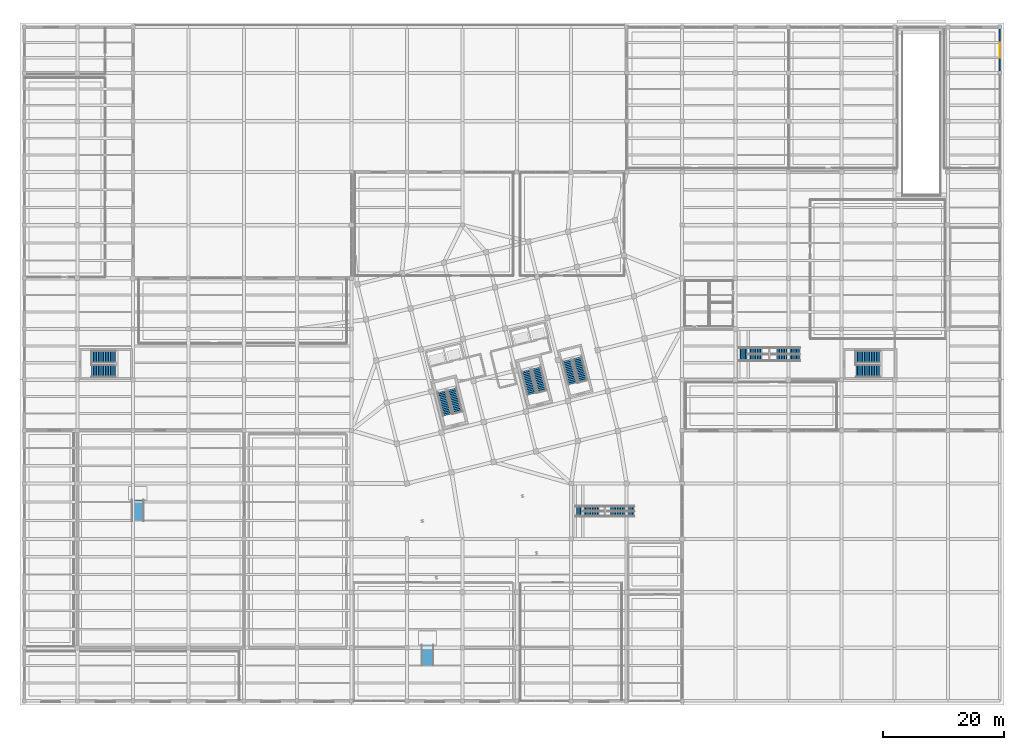
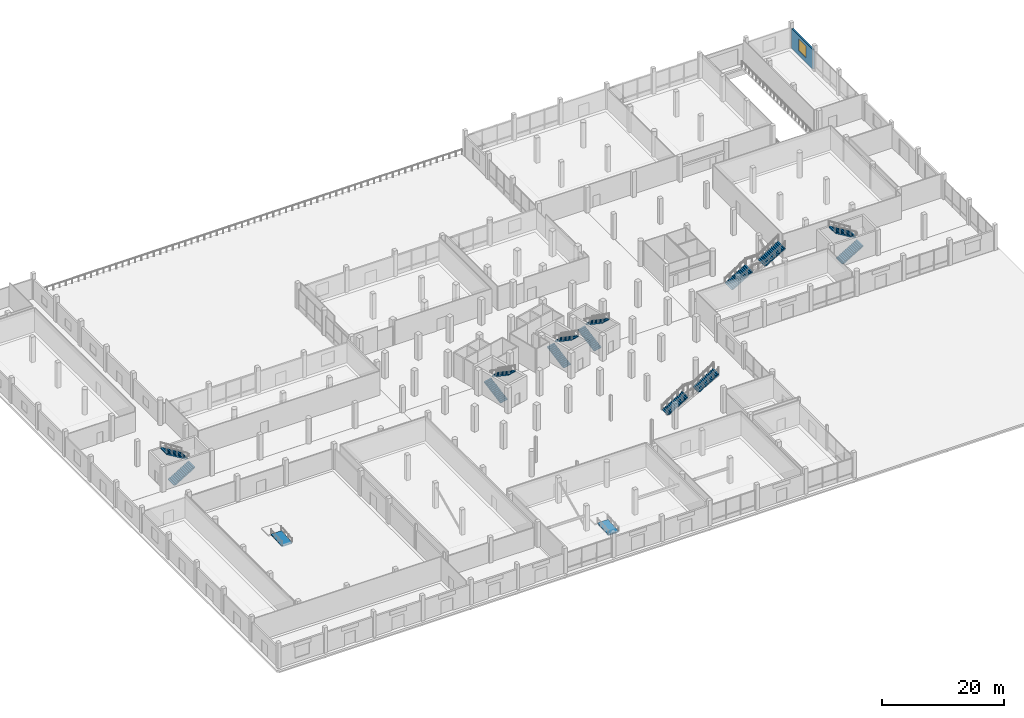
# One storey, part 65 of 73: 14 stair flights, 2 ramp flights, 1 wall, 1 window, 1 opening, 9 elements without a shape of their own.
"""IFC4 building model written with IfcOpenShell, lengths in metres."""

from ifc_helpers import new_model, si_unit, direction, frame, frame_2d, origin, place, context, subcontext, project, spatial, polyline, rectangle, outline, extrude, material, layer, layer_set, type_object, element, fill, aggregate, save


model = new_model("IFC4")

# Units and contexts
model_context = context("Model", 3, precision=1e-05, world=origin(), true_north=direction((0.0, 1.0)))
body_context = subcontext(model_context, "Body", "Model", "MODEL_VIEW")
ifc_project = project(units=[si_unit("LENGTHUNIT", "METRE"), si_unit("AREAUNIT", "SQUARE_METRE"), si_unit("VOLUMEUNIT", "CUBIC_METRE"), si_unit("PLANEANGLEUNIT", "RADIAN"), si_unit("MASSUNIT", "GRAM", prefix="KILO")], contexts=[model_context])

# Site, building, storey
site_placement = place(None, origin())
site = spatial("IfcSite", under=ifc_project, at=site_placement, CompositionType="ELEMENT")
building_placement = place(site_placement, origin())
building = spatial("IfcBuilding", under=site, at=building_placement, Name="Meriwether Solvik Hall", CompositionType="ELEMENT")
storey_placement = place(building_placement, origin())
storey = spatial("IfcBuildingStorey", under=building, at=storey_placement, Name="L00", CompositionType="ELEMENT", Elevation=0.0)

# Wall, opening, window
ifc_material_1 = material(Name="Concrete C40/50 Precast", Category="concrete")
ifc_layer_1 = layer(ifc_material_1, 0.31494140625)
ifc_layer_set_1 = layer_set([ifc_layer_1], Name="Concrete C40/50 Precast")
wall_type = type_object("IfcWallType", Name="WALL-EXT-315", PredefinedType="SOLIDWALL", material=ifc_layer_set_1)
wall_placement = place(storey_placement, frame((166.800048828125, 116.462890625, 0.0), z_axis=(0.0, 0.0, 1.0), x_axis=(0.0, -1.0, 0.0)))
wall = element("IfcWall", 1, at=wall_placement, inside=storey, type_object=wall_type, Name="L00 E Wing Facade Wall Y19_13_71", PredefinedType="SOLIDWALL", context=body_context, shape_type="SweptSolid", body=[
    extrude(rectangle(XDim=6.92578125, YDim=0.31494140625, at=frame_2d((3.462890625, 0.0))), origin(), (0.0, 0.0, 1.0), 3.93994140625),
])
opening_placement = place(wall_placement, frame((2.212890625, 0.0, 0.85009765625)))
opening = element("IfcOpeningElement", 2, at=opening_placement, cuts=wall, Name="Opening WN-144", PredefinedType="OPENING", context=body_context, shape_type="SweptSolid", body=[
    extrude(rectangle(XDim=2.5, YDim=2.39990234375, at=frame_2d((1.25, 1.199951171875))), frame((0.0, 0.16943359375, 0.0), z_axis=(0.0, -1.0, 0.0), x_axis=(1.0, 0.0, 0.0)), (0.0, 0.0, 1.0), 0.3388671875),
])
ifc_material_2 = material(Name="Thermally Broken Anodised Aluminium and Triple Low-E Glass", Category="aluminium")
window_type = type_object("IfcWindowType", Name="WIN-POD-EAST-250X240", PartitioningType="SINGLE_PANEL", PredefinedType="WINDOW", material=ifc_material_2)
window_placement = place(opening_placement, origin())
window = element("IfcWindow", 3, at=window_placement, inside=storey, type_object=window_type, Name="L00 E Window Y19_13_71", OverallHeight=2.39990234375, OverallWidth=2.5, PartitioningType="SINGLE_PANEL", PredefinedType="WINDOW", context=body_context, shape_type="SweptSolid", body=[
    extrude(rectangle(XDim=2.5, YDim=2.39990234375, at=frame_2d((1.25, 1.199951171875))), frame((0.0, 0.030029296875, 0.0), z_axis=(0.0, -1.0, 0.0), x_axis=(1.0, 0.0, 0.0)), (0.0, 0.0, 1.0), 0.06005859375),
])
fill(opening, window)

# Stair, stair flights
ifc_material_3 = material(Name="Glulam Douglas-Fir 24F-V8 GL28h", Category="wood")
stair_type_1 = type_object("IfcStairType", Name="STR-OPEN-ATRIUM", PredefinedType="TWO_STRAIGHT_RUN_STAIR", material=ifc_material_3)
stair_1_placement = place(storey_placement, origin())
stair_1 = element("IfcStair", 4, at=stair_1_placement, inside=storey, type_object=stair_type_1, Name="Architectural Stair ST-AT1 (L00-L01)", PredefinedType="TWO_STRAIGHT_RUN_STAIR")
ifc_material_4 = material(Name="Glulam Douglas-Fir 24F-V8 GL28h", Category="wood")
stair_flight_type_1 = type_object("IfcStairFlightType", Name="SFL-GL-180", PredefinedType="STRAIGHT", material=ifc_material_4)
stair_flight_1_placement = place(storey_placement, frame((96.5, 36.60009765625, 0.0), z_axis=(0.0, 0.0, 1.0), x_axis=(1.0, 0.0, 0.0)))
stair_flight_1 = element("IfcStairFlight", 5, at=stair_flight_1_placement, type_object=stair_flight_type_1, Name="Stair ST-AT1 Lower Flight", NumberOfRisers=15, NumberOfTreads=14, PredefinedType="STRAIGHT", RiserHeight=0.17, TreadLength=0.28, context=body_context, shape_type="SweptSolid", body=[
    extrude(outline(polyline([(0.0, 0.0), (0.0, 0.169921875), (0.280029296875, 0.169921875), (0.280029296875, 0.340087890625), (0.56005859375, 0.340087890625), (0.56005859375, 0.510009765625), (0.840087890625, 0.510009765625), (0.840087890625, 0.679931640625), (1.1201171875, 0.679931640625), (1.1201171875, 0.85009765625), (1.39990234375, 0.85009765625), (1.39990234375, 1.02001953125), (1.679931640625, 1.02001953125), (1.679931640625, 1.18994140625), (1.9599609375, 1.18994140625), (1.9599609375, 1.360107421875), (2.239990234375, 1.360107421875), (2.239990234375, 1.530029296875), (2.52001953125, 1.530029296875), (2.52001953125, 1.699951171875), (2.800048828125, 1.699951171875), (2.800048828125, 1.8701171875), (3.080078125, 1.8701171875), (3.080078125, 2.0400390625), (3.360107421875, 2.0400390625), (3.360107421875, 2.2099609375), (3.639892578125, 2.2099609375), (3.639892578125, 2.3798828125), (3.919921875, 2.3798828125), (3.919921875, 2.550048828125), (3.919921875, 2.16943359375), (0.3466796875, 0.0), (0.0, 0.0)])), frame((0.0, 0.89990234375, 0.0), z_axis=(0.0, -1.0, 0.0), x_axis=(1.0, 0.0, 0.0)), (0.0, 0.0, 1.0), 1.800048828125),
])
stair_flight_2_placement = place(storey_placement, frame((102.320068359375, 36.60009765625, 2.550048828125), z_axis=(0.0, 0.0, 1.0), x_axis=(1.0, 0.0, 0.0)))
stair_flight_2 = element("IfcStairFlight", 6, at=stair_flight_2_placement, type_object=stair_flight_type_1, Name="Stair ST-AT1 Upper Flight", NumberOfRisers=15, NumberOfTreads=14, PredefinedType="STRAIGHT", RiserHeight=0.17, TreadLength=0.28, context=body_context, shape_type="SweptSolid", body=[
    extrude(outline(polyline([(0.0, 0.0), (0.0, 0.169921875), (0.280029296875, 0.169921875), (0.280029296875, 0.340087890625), (0.56005859375, 0.340087890625), (0.56005859375, 0.510009765625), (0.840087890625, 0.510009765625), (0.840087890625, 0.679931640625), (1.1201171875, 0.679931640625), (1.1201171875, 0.85009765625), (1.39990234375, 0.85009765625), (1.39990234375, 1.02001953125), (1.679931640625, 1.02001953125), (1.679931640625, 1.18994140625), (1.9599609375, 1.18994140625), (1.9599609375, 1.360107421875), (2.239990234375, 1.360107421875), (2.239990234375, 1.530029296875), (2.52001953125, 1.530029296875), (2.52001953125, 1.699951171875), (2.800048828125, 1.699951171875), (2.800048828125, 1.8701171875), (3.080078125, 1.8701171875), (3.080078125, 2.0400390625), (3.360107421875, 2.0400390625), (3.360107421875, 2.2099609375), (3.639892578125, 2.2099609375), (3.639892578125, 2.3798828125), (3.919921875, 2.3798828125), (3.919921875, 2.550048828125), (3.919921875, 2.16943359375), (0.3466796875, 0.0), (0.0, 0.0)])), frame((0.0, 0.89990234375, 0.0), z_axis=(0.0, -1.0, 0.0), x_axis=(1.0, 0.0, 0.0)), (0.0, 0.0, 1.0), 1.800048828125),
])
aggregate(stair_1, [stair_flight_1, stair_flight_2])

ifc_material_5 = material(Name="Glulam Douglas-Fir 24F-V8 GL28h", Category="wood")
stair_type_2 = type_object("IfcStairType", Name="STR-OPEN-LIB-W", PredefinedType="TWO_STRAIGHT_RUN_STAIR", material=ifc_material_5)
stair_2_placement = place(storey_placement, origin())
stair_2 = element("IfcStair", 7, at=stair_2_placement, inside=storey, type_object=stair_type_2, Name="Architectural Stair ST-LB2 (L00-L01)", PredefinedType="TWO_STRAIGHT_RUN_STAIR")
ifc_material_6 = material(Name="Glulam Douglas-Fir 24F-V8 GL28h", Category="wood")
stair_flight_type_2 = type_object("IfcStairFlightType", Name="SFL-GL-230", PredefinedType="STRAIGHT", material=ifc_material_6)
stair_flight_3_placement = place(storey_placement, frame((123.550048828125, 62.60009765625, 0.0), z_axis=(0.0, 0.0, 1.0), x_axis=(1.0, 0.0, 0.0)))
stair_flight_3 = element("IfcStairFlight", 8, at=stair_flight_3_placement, type_object=stair_flight_type_2, Name="Stair ST-LB2 Lower Flight", NumberOfRisers=15, NumberOfTreads=14, PredefinedType="STRAIGHT", RiserHeight=0.17, TreadLength=0.28, context=body_context, shape_type="SweptSolid", body=[
    extrude(outline(polyline([(0.0, 0.0), (0.0, 0.169921875), (0.280029296875, 0.169921875), (0.280029296875, 0.340087890625), (0.56005859375, 0.340087890625), (0.56005859375, 0.510009765625), (0.840087890625, 0.510009765625), (0.840087890625, 0.679931640625), (1.1201171875, 0.679931640625), (1.1201171875, 0.85009765625), (1.39990234375, 0.85009765625), (1.39990234375, 1.02001953125), (1.679931640625, 1.02001953125), (1.679931640625, 1.18994140625), (1.9599609375, 1.18994140625), (1.9599609375, 1.360107421875), (2.239990234375, 1.360107421875), (2.239990234375, 1.530029296875), (2.52001953125, 1.530029296875), (2.52001953125, 1.699951171875), (2.800048828125, 1.699951171875), (2.800048828125, 1.8701171875), (3.080078125, 1.8701171875), (3.080078125, 2.0400390625), (3.360107421875, 2.0400390625), (3.360107421875, 2.2099609375), (3.639892578125, 2.2099609375), (3.639892578125, 2.3798828125), (3.919921875, 2.3798828125), (3.919921875, 2.550048828125), (3.919921875, 2.16943359375), (0.3466796875, 0.0), (0.0, 0.0)])), frame((0.0, 1.14990234375, 0.0), z_axis=(0.0, -1.0, 0.0), x_axis=(1.0, 0.0, 0.0)), (0.0, 0.0, 1.0), 2.300048828125),
])
stair_flight_4_placement = place(storey_placement, frame((129.77001953125, 62.60009765625, 2.550048828125), z_axis=(0.0, 0.0, 1.0), x_axis=(1.0, 0.0, 0.0)))
stair_flight_4 = element("IfcStairFlight", 9, at=stair_flight_4_placement, type_object=stair_flight_type_2, Name="Stair ST-LB2 Upper Flight", NumberOfRisers=15, NumberOfTreads=14, PredefinedType="STRAIGHT", RiserHeight=0.17, TreadLength=0.28, context=body_context, shape_type="SweptSolid", body=[
    extrude(outline(polyline([(0.0, 0.0), (0.0, 0.169921875), (0.280029296875, 0.169921875), (0.280029296875, 0.340087890625), (0.56005859375, 0.340087890625), (0.56005859375, 0.510009765625), (0.840087890625, 0.510009765625), (0.840087890625, 0.679931640625), (1.1201171875, 0.679931640625), (1.1201171875, 0.85009765625), (1.39990234375, 0.85009765625), (1.39990234375, 1.02001953125), (1.679931640625, 1.02001953125), (1.679931640625, 1.18994140625), (1.9599609375, 1.18994140625), (1.9599609375, 1.360107421875), (2.239990234375, 1.360107421875), (2.239990234375, 1.530029296875), (2.52001953125, 1.530029296875), (2.52001953125, 1.699951171875), (2.800048828125, 1.699951171875), (2.800048828125, 1.8701171875), (3.080078125, 1.8701171875), (3.080078125, 2.0400390625), (3.360107421875, 2.0400390625), (3.360107421875, 2.2099609375), (3.639892578125, 2.2099609375), (3.639892578125, 2.3798828125), (3.919921875, 2.3798828125), (3.919921875, 2.550048828125), (3.919921875, 2.16943359375), (0.3466796875, 0.0), (0.0, 0.0)])), frame((0.0, 1.14990234375, 0.0), z_axis=(0.0, -1.0, 0.0), x_axis=(1.0, 0.0, 0.0)), (0.0, 0.0, 1.0), 2.300048828125),
])
aggregate(stair_2, [stair_flight_3, stair_flight_4])

ifc_material_7 = material(Name="Concrete C40/50", Category="concrete")
stair_type_3 = type_object("IfcStairType", Name="STR-CORE-DOGLEG-B", PredefinedType="TWO_STRAIGHT_RUN_STAIR", material=ifc_material_7)
stair_3_placement = place(storey_placement, origin())
stair_3 = element("IfcStair", 10, at=stair_3_placement, inside=storey, type_object=stair_type_3, Name="Exit Stair ST-01 (L00)", PredefinedType="TWO_STRAIGHT_RUN_STAIR")
ifc_material_8 = material(Name="Concrete C40/50", Category="concrete")
stair_flight_type_3 = type_object("IfcStairFlightType", Name="SFL-RC-156", PredefinedType="STRAIGHT", material=ifc_material_8)
stair_flight_5_placement = place(storey_placement, frame((75.310791015625, 52.56103515625, 0.0), z_axis=(0.0, 0.0, 1.0), x_axis=(-0.2419218956, 0.970295726276, 0.0)))
stair_flight_5 = element("IfcStairFlight", 11, at=stair_flight_5_placement, type_object=stair_flight_type_3, Name="Stair ST-01 Lower Flight (L00)", NumberOfRisers=15, NumberOfTreads=14, PredefinedType="STRAIGHT", RiserHeight=0.17, TreadLength=0.285, context=body_context, shape_type="SweptSolid", body=[
    extrude(outline(polyline([(0.0, 0.0), (0.0, 0.169921875), (0.284912109375, 0.169921875), (0.284912109375, 0.340087890625), (0.570068359375, 0.340087890625), (0.570068359375, 0.510009765625), (0.85498046875, 0.510009765625), (0.85498046875, 0.679931640625), (1.139892578125, 0.679931640625), (1.139892578125, 0.85009765625), (1.425048828125, 0.85009765625), (1.425048828125, 1.02001953125), (1.7099609375, 1.02001953125), (1.7099609375, 1.18994140625), (1.9951171875, 1.18994140625), (1.9951171875, 1.360107421875), (2.280029296875, 1.360107421875), (2.280029296875, 1.530029296875), (2.56494140625, 1.530029296875), (2.56494140625, 1.699951171875), (2.85009765625, 1.699951171875), (2.85009765625, 1.8701171875), (3.135009765625, 1.8701171875), (3.135009765625, 2.0400390625), (3.419921875, 2.0400390625), (3.419921875, 2.2099609375), (3.705078125, 2.2099609375), (3.705078125, 2.3798828125), (3.989990234375, 2.3798828125), (3.989990234375, 2.550048828125), (3.989990234375, 2.17041015625), (0.351318359375, 0.0), (0.0, 0.0)])), frame((0.0, 0.780029296875, 0.0), z_axis=(0.0, -1.0, 0.0), x_axis=(1.0, 0.0, 0.0)), (0.0, 0.0, 1.0), 1.56005859375),
])
stair_flight_6_placement = place(storey_placement, frame((76.07275390625, 56.863037109375, 2.550048828125), z_axis=(0.0, 0.0, 1.0), x_axis=(0.2419218956, -0.970295726276, 0.0)))
stair_flight_6 = element("IfcStairFlight", 12, at=stair_flight_6_placement, type_object=stair_flight_type_3, Name="Stair ST-01 Upper Flight (L00)", NumberOfRisers=15, NumberOfTreads=14, PredefinedType="STRAIGHT", RiserHeight=0.17, TreadLength=0.285, context=body_context, shape_type="SweptSolid", body=[
    extrude(outline(polyline([(0.0, 0.0), (0.0, 0.169921875), (0.284912109375, 0.169921875), (0.284912109375, 0.340087890625), (0.570068359375, 0.340087890625), (0.570068359375, 0.510009765625), (0.85498046875, 0.510009765625), (0.85498046875, 0.679931640625), (1.139892578125, 0.679931640625), (1.139892578125, 0.85009765625), (1.425048828125, 0.85009765625), (1.425048828125, 1.02001953125), (1.7099609375, 1.02001953125), (1.7099609375, 1.18994140625), (1.9951171875, 1.18994140625), (1.9951171875, 1.360107421875), (2.280029296875, 1.360107421875), (2.280029296875, 1.530029296875), (2.56494140625, 1.530029296875), (2.56494140625, 1.699951171875), (2.85009765625, 1.699951171875), (2.85009765625, 1.8701171875), (3.135009765625, 1.8701171875), (3.135009765625, 2.0400390625), (3.419921875, 2.0400390625), (3.419921875, 2.2099609375), (3.705078125, 2.2099609375), (3.705078125, 2.3798828125), (3.989990234375, 2.3798828125), (3.989990234375, 2.550048828125), (3.989990234375, 2.17041015625), (0.351318359375, 0.0), (0.0, 0.0)])), frame((0.0, 0.780029296875, 0.0), z_axis=(0.0, -1.0, 0.0), x_axis=(1.0, 0.0, 0.0)), (0.0, 0.0, 1.0), 1.56005859375),
])
aggregate(stair_3, [stair_flight_5, stair_flight_6])

stair_4_placement = place(storey_placement, origin())
stair_4 = element("IfcStair", 13, at=stair_4_placement, inside=storey, type_object=stair_type_3, Name="Exit Stair ST-02 (L00)", PredefinedType="TWO_STRAIGHT_RUN_STAIR")
stair_flight_7_placement = place(storey_placement, frame((89.283203125, 56.044677734375, 0.0), z_axis=(0.0, 0.0, 1.0), x_axis=(-0.2419218956, 0.970295726276, 0.0)))
stair_flight_7 = element("IfcStairFlight", 14, at=stair_flight_7_placement, type_object=stair_flight_type_3, Name="Stair ST-02 Lower Flight (L00)", NumberOfRisers=15, NumberOfTreads=14, PredefinedType="STRAIGHT", RiserHeight=0.17, TreadLength=0.285, context=body_context, shape_type="SweptSolid", body=[
    extrude(outline(polyline([(0.0, 0.0), (0.0, 0.169921875), (0.284912109375, 0.169921875), (0.284912109375, 0.340087890625), (0.570068359375, 0.340087890625), (0.570068359375, 0.510009765625), (0.85498046875, 0.510009765625), (0.85498046875, 0.679931640625), (1.139892578125, 0.679931640625), (1.139892578125, 0.85009765625), (1.425048828125, 0.85009765625), (1.425048828125, 1.02001953125), (1.7099609375, 1.02001953125), (1.7099609375, 1.18994140625), (1.9951171875, 1.18994140625), (1.9951171875, 1.360107421875), (2.280029296875, 1.360107421875), (2.280029296875, 1.530029296875), (2.56494140625, 1.530029296875), (2.56494140625, 1.699951171875), (2.85009765625, 1.699951171875), (2.85009765625, 1.8701171875), (3.135009765625, 1.8701171875), (3.135009765625, 2.0400390625), (3.419921875, 2.0400390625), (3.419921875, 2.2099609375), (3.705078125, 2.2099609375), (3.705078125, 2.3798828125), (3.989990234375, 2.3798828125), (3.989990234375, 2.550048828125), (3.989990234375, 2.17041015625), (0.351318359375, 0.0), (0.0, 0.0)])), frame((0.0, 0.780029296875, 0.0), z_axis=(0.0, -1.0, 0.0), x_axis=(1.0, 0.0, 0.0)), (0.0, 0.0, 1.0), 1.56005859375),
])
stair_flight_8_placement = place(storey_placement, frame((90.044921875, 60.3466796875, 2.550048828125), z_axis=(0.0, 0.0, 1.0), x_axis=(0.2419218956, -0.970295726276, 0.0)))
stair_flight_8 = element("IfcStairFlight", 15, at=stair_flight_8_placement, type_object=stair_flight_type_3, Name="Stair ST-02 Upper Flight (L00)", NumberOfRisers=15, NumberOfTreads=14, PredefinedType="STRAIGHT", RiserHeight=0.17, TreadLength=0.285, context=body_context, shape_type="SweptSolid", body=[
    extrude(outline(polyline([(0.0, 0.0), (0.0, 0.169921875), (0.284912109375, 0.169921875), (0.284912109375, 0.340087890625), (0.570068359375, 0.340087890625), (0.570068359375, 0.510009765625), (0.85498046875, 0.510009765625), (0.85498046875, 0.679931640625), (1.139892578125, 0.679931640625), (1.139892578125, 0.85009765625), (1.425048828125, 0.85009765625), (1.425048828125, 1.02001953125), (1.7099609375, 1.02001953125), (1.7099609375, 1.18994140625), (1.9951171875, 1.18994140625), (1.9951171875, 1.360107421875), (2.280029296875, 1.360107421875), (2.280029296875, 1.530029296875), (2.56494140625, 1.530029296875), (2.56494140625, 1.699951171875), (2.85009765625, 1.699951171875), (2.85009765625, 1.8701171875), (3.135009765625, 1.8701171875), (3.135009765625, 2.0400390625), (3.419921875, 2.0400390625), (3.419921875, 2.2099609375), (3.705078125, 2.2099609375), (3.705078125, 2.3798828125), (3.989990234375, 2.3798828125), (3.989990234375, 2.550048828125), (3.989990234375, 2.17041015625), (0.351318359375, 0.0), (0.0, 0.0)])), frame((0.0, 0.780029296875, 0.0), z_axis=(0.0, -1.0, 0.0), x_axis=(1.0, 0.0, 0.0)), (0.0, 0.0, 1.0), 1.56005859375),
])
aggregate(stair_4, [stair_flight_7, stair_flight_8])

stair_5_placement = place(storey_placement, origin())
stair_5 = element("IfcStair", 16, at=stair_5_placement, inside=storey, type_object=stair_type_3, Name="Exit Stair ST-03 (L00)", PredefinedType="TWO_STRAIGHT_RUN_STAIR")
stair_flight_9_placement = place(storey_placement, frame((96.0751953125, 57.738037109375, 0.0), z_axis=(0.0, 0.0, 1.0), x_axis=(-0.2419218956, 0.970295726276, 0.0)))
stair_flight_9 = element("IfcStairFlight", 17, at=stair_flight_9_placement, type_object=stair_flight_type_3, Name="Stair ST-03 Lower Flight (L00)", NumberOfRisers=15, NumberOfTreads=14, PredefinedType="STRAIGHT", RiserHeight=0.17, TreadLength=0.285, context=body_context, shape_type="SweptSolid", body=[
    extrude(outline(polyline([(0.0, 0.0), (0.0, 0.169921875), (0.284912109375, 0.169921875), (0.284912109375, 0.340087890625), (0.570068359375, 0.340087890625), (0.570068359375, 0.510009765625), (0.85498046875, 0.510009765625), (0.85498046875, 0.679931640625), (1.139892578125, 0.679931640625), (1.139892578125, 0.85009765625), (1.425048828125, 0.85009765625), (1.425048828125, 1.02001953125), (1.7099609375, 1.02001953125), (1.7099609375, 1.18994140625), (1.9951171875, 1.18994140625), (1.9951171875, 1.360107421875), (2.280029296875, 1.360107421875), (2.280029296875, 1.530029296875), (2.56494140625, 1.530029296875), (2.56494140625, 1.699951171875), (2.85009765625, 1.699951171875), (2.85009765625, 1.8701171875), (3.135009765625, 1.8701171875), (3.135009765625, 2.0400390625), (3.419921875, 2.0400390625), (3.419921875, 2.2099609375), (3.705078125, 2.2099609375), (3.705078125, 2.3798828125), (3.989990234375, 2.3798828125), (3.989990234375, 2.550048828125), (3.989990234375, 2.17041015625), (0.351318359375, 0.0), (0.0, 0.0)])), frame((0.0, 0.780029296875, 0.0), z_axis=(0.0, -1.0, 0.0), x_axis=(1.0, 0.0, 0.0)), (0.0, 0.0, 1.0), 1.56005859375),
])
stair_flight_10_placement = place(storey_placement, frame((96.837158203125, 62.040283203125, 2.550048828125), z_axis=(0.0, 0.0, 1.0), x_axis=(0.2419218956, -0.970295726276, 0.0)))
stair_flight_10 = element("IfcStairFlight", 18, at=stair_flight_10_placement, type_object=stair_flight_type_3, Name="Stair ST-03 Upper Flight (L00)", NumberOfRisers=15, NumberOfTreads=14, PredefinedType="STRAIGHT", RiserHeight=0.17, TreadLength=0.285, context=body_context, shape_type="SweptSolid", body=[
    extrude(outline(polyline([(0.0, 0.0), (0.0, 0.169921875), (0.284912109375, 0.169921875), (0.284912109375, 0.340087890625), (0.570068359375, 0.340087890625), (0.570068359375, 0.510009765625), (0.85498046875, 0.510009765625), (0.85498046875, 0.679931640625), (1.139892578125, 0.679931640625), (1.139892578125, 0.85009765625), (1.425048828125, 0.85009765625), (1.425048828125, 1.02001953125), (1.7099609375, 1.02001953125), (1.7099609375, 1.18994140625), (1.9951171875, 1.18994140625), (1.9951171875, 1.360107421875), (2.280029296875, 1.360107421875), (2.280029296875, 1.530029296875), (2.56494140625, 1.530029296875), (2.56494140625, 1.699951171875), (2.85009765625, 1.699951171875), (2.85009765625, 1.8701171875), (3.135009765625, 1.8701171875), (3.135009765625, 2.0400390625), (3.419921875, 2.0400390625), (3.419921875, 2.2099609375), (3.705078125, 2.2099609375), (3.705078125, 2.3798828125), (3.989990234375, 2.3798828125), (3.989990234375, 2.550048828125), (3.989990234375, 2.17041015625), (0.351318359375, 0.0), (0.0, 0.0)])), frame((0.0, 0.780029296875, 0.0), z_axis=(0.0, -1.0, 0.0), x_axis=(1.0, 0.0, 0.0)), (0.0, 0.0, 1.0), 1.56005859375),
])
aggregate(stair_5, [stair_flight_9, stair_flight_10])

ifc_material_9 = material(Name="Concrete C40/50", Category="concrete")
stair_type_4 = type_object("IfcStairType", Name="STR-CORE-WIDE", PredefinedType="TWO_STRAIGHT_RUN_STAIR", material=ifc_material_9)
stair_6_placement = place(storey_placement, origin())
stair_6 = element("IfcStair", 19, at=stair_6_placement, inside=storey, type_object=stair_type_4, Name="Exit Stair ST-04 (L00)", PredefinedType="TWO_STRAIGHT_RUN_STAIR")
ifc_material_10 = material(Name="Concrete C40/50", Category="concrete")
stair_flight_type_4 = type_object("IfcStairFlightType", Name="SFL-RC-205", PredefinedType="STRAIGHT", material=ifc_material_10)
stair_flight_11_placement = place(storey_placement, frame((16.35009765625, 59.804931640625, 0.0), z_axis=(0.0, 0.0, 1.0), x_axis=(1.0, 0.0, 0.0)))
stair_flight_11 = element("IfcStairFlight", 20, at=stair_flight_11_placement, type_object=stair_flight_type_4, Name="Stair ST-04 Lower Flight (L00)", NumberOfRisers=15, NumberOfTreads=14, PredefinedType="STRAIGHT", RiserHeight=0.17, TreadLength=0.285, context=body_context, shape_type="SweptSolid", body=[
    extrude(outline(polyline([(0.0, 0.0), (0.0, 0.169921875), (0.284912109375, 0.169921875), (0.284912109375, 0.340087890625), (0.570068359375, 0.340087890625), (0.570068359375, 0.510009765625), (0.85498046875, 0.510009765625), (0.85498046875, 0.679931640625), (1.139892578125, 0.679931640625), (1.139892578125, 0.85009765625), (1.425048828125, 0.85009765625), (1.425048828125, 1.02001953125), (1.7099609375, 1.02001953125), (1.7099609375, 1.18994140625), (1.9951171875, 1.18994140625), (1.9951171875, 1.360107421875), (2.280029296875, 1.360107421875), (2.280029296875, 1.530029296875), (2.56494140625, 1.530029296875), (2.56494140625, 1.699951171875), (2.85009765625, 1.699951171875), (2.85009765625, 1.8701171875), (3.135009765625, 1.8701171875), (3.135009765625, 2.0400390625), (3.419921875, 2.0400390625), (3.419921875, 2.2099609375), (3.705078125, 2.2099609375), (3.705078125, 2.3798828125), (3.989990234375, 2.3798828125), (3.989990234375, 2.550048828125), (3.989990234375, 2.17041015625), (0.351318359375, 0.0), (0.0, 0.0)])), frame((0.0, 1.02490234375, 0.0), z_axis=(0.0, -1.0, 0.0), x_axis=(1.0, 0.0, 0.0)), (0.0, 0.0, 1.0), 2.050048828125),
])
stair_flight_12_placement = place(storey_placement, frame((20.340087890625, 62.195068359375, 2.550048828125), z_axis=(0.0, 0.0, 1.0), x_axis=(-1.0, 0.0, 0.0)))
stair_flight_12 = element("IfcStairFlight", 21, at=stair_flight_12_placement, type_object=stair_flight_type_4, Name="Stair ST-04 Upper Flight (L00)", NumberOfRisers=15, NumberOfTreads=14, PredefinedType="STRAIGHT", RiserHeight=0.17, TreadLength=0.285, context=body_context, shape_type="SweptSolid", body=[
    extrude(outline(polyline([(0.0, 0.0), (0.0, 0.169921875), (0.284912109375, 0.169921875), (0.284912109375, 0.340087890625), (0.570068359375, 0.340087890625), (0.570068359375, 0.510009765625), (0.85498046875, 0.510009765625), (0.85498046875, 0.679931640625), (1.139892578125, 0.679931640625), (1.139892578125, 0.85009765625), (1.425048828125, 0.85009765625), (1.425048828125, 1.02001953125), (1.7099609375, 1.02001953125), (1.7099609375, 1.18994140625), (1.9951171875, 1.18994140625), (1.9951171875, 1.360107421875), (2.280029296875, 1.360107421875), (2.280029296875, 1.530029296875), (2.56494140625, 1.530029296875), (2.56494140625, 1.699951171875), (2.85009765625, 1.699951171875), (2.85009765625, 1.8701171875), (3.135009765625, 1.8701171875), (3.135009765625, 2.0400390625), (3.419921875, 2.0400390625), (3.419921875, 2.2099609375), (3.705078125, 2.2099609375), (3.705078125, 2.3798828125), (3.989990234375, 2.3798828125), (3.989990234375, 2.550048828125), (3.989990234375, 2.17041015625), (0.351318359375, 0.0), (0.0, 0.0)])), frame((0.0, 1.02490234375, 0.0), z_axis=(0.0, -1.0, 0.0), x_axis=(1.0, 0.0, 0.0)), (0.0, 0.0, 1.0), 2.050048828125),
])
aggregate(stair_6, [stair_flight_11, stair_flight_12])

stair_7_placement = place(storey_placement, origin())
stair_7 = element("IfcStair", 22, at=stair_7_placement, inside=storey, type_object=stair_type_4, Name="Exit Stair ST-05 (L00)", PredefinedType="TWO_STRAIGHT_RUN_STAIR")
stair_flight_13_placement = place(storey_placement, frame((142.949951171875, 59.804931640625, 0.0), z_axis=(0.0, 0.0, 1.0), x_axis=(1.0, 0.0, 0.0)))
stair_flight_13 = element("IfcStairFlight", 23, at=stair_flight_13_placement, type_object=stair_flight_type_4, Name="Stair ST-05 Lower Flight (L00)", NumberOfRisers=15, NumberOfTreads=14, PredefinedType="STRAIGHT", RiserHeight=0.17, TreadLength=0.285, context=body_context, shape_type="SweptSolid", body=[
    extrude(outline(polyline([(0.0, 0.0), (0.0, 0.169921875), (0.284912109375, 0.169921875), (0.284912109375, 0.340087890625), (0.570068359375, 0.340087890625), (0.570068359375, 0.510009765625), (0.85498046875, 0.510009765625), (0.85498046875, 0.679931640625), (1.139892578125, 0.679931640625), (1.139892578125, 0.85009765625), (1.425048828125, 0.85009765625), (1.425048828125, 1.02001953125), (1.7099609375, 1.02001953125), (1.7099609375, 1.18994140625), (1.9951171875, 1.18994140625), (1.9951171875, 1.360107421875), (2.280029296875, 1.360107421875), (2.280029296875, 1.530029296875), (2.56494140625, 1.530029296875), (2.56494140625, 1.699951171875), (2.85009765625, 1.699951171875), (2.85009765625, 1.8701171875), (3.135009765625, 1.8701171875), (3.135009765625, 2.0400390625), (3.419921875, 2.0400390625), (3.419921875, 2.2099609375), (3.705078125, 2.2099609375), (3.705078125, 2.3798828125), (3.989990234375, 2.3798828125), (3.989990234375, 2.550048828125), (3.989990234375, 2.17041015625), (0.351318359375, 0.0), (0.0, 0.0)])), frame((0.0, 1.02490234375, 0.0), z_axis=(0.0, -1.0, 0.0), x_axis=(1.0, 0.0, 0.0)), (0.0, 0.0, 1.0), 2.050048828125),
])
stair_flight_14_placement = place(storey_placement, frame((146.93994140625, 62.195068359375, 2.550048828125), z_axis=(0.0, 0.0, 1.0), x_axis=(-1.0, 0.0, 0.0)))
stair_flight_14 = element("IfcStairFlight", 24, at=stair_flight_14_placement, type_object=stair_flight_type_4, Name="Stair ST-05 Upper Flight (L00)", NumberOfRisers=15, NumberOfTreads=14, PredefinedType="STRAIGHT", RiserHeight=0.17, TreadLength=0.285, context=body_context, shape_type="SweptSolid", body=[
    extrude(outline(polyline([(0.0, 0.0), (0.0, 0.169921875), (0.284912109375, 0.169921875), (0.284912109375, 0.340087890625), (0.570068359375, 0.340087890625), (0.570068359375, 0.510009765625), (0.85498046875, 0.510009765625), (0.85498046875, 0.679931640625), (1.139892578125, 0.679931640625), (1.139892578125, 0.85009765625), (1.425048828125, 0.85009765625), (1.425048828125, 1.02001953125), (1.7099609375, 1.02001953125), (1.7099609375, 1.18994140625), (1.9951171875, 1.18994140625), (1.9951171875, 1.360107421875), (2.280029296875, 1.360107421875), (2.280029296875, 1.530029296875), (2.56494140625, 1.530029296875), (2.56494140625, 1.699951171875), (2.85009765625, 1.699951171875), (2.85009765625, 1.8701171875), (3.135009765625, 1.8701171875), (3.135009765625, 2.0400390625), (3.419921875, 2.0400390625), (3.419921875, 2.2099609375), (3.705078125, 2.2099609375), (3.705078125, 2.3798828125), (3.989990234375, 2.3798828125), (3.989990234375, 2.550048828125), (3.989990234375, 2.17041015625), (0.351318359375, 0.0), (0.0, 0.0)])), frame((0.0, 1.02490234375, 0.0), z_axis=(0.0, -1.0, 0.0), x_axis=(1.0, 0.0, 0.0)), (0.0, 0.0, 1.0), 2.050048828125),
])
aggregate(stair_7, [stair_flight_13, stair_flight_14])

# Ramp, ramp flight
ifc_material_11 = material(Name="Concrete C40/50", Category="concrete")
ifc_layer_2 = layer(ifc_material_11, 0.219970703125)
ifc_layer_set_2 = layer_set([ifc_layer_2], Name="Concrete C40/50")
ramp_type = type_object("IfcRampType", Name="RMP-ACC-200", PredefinedType="STRAIGHT_RUN_RAMP", material=ifc_layer_set_2)
ramp_1_placement = place(storey_placement, origin())
ramp_1 = element("IfcRamp", 25, at=ramp_1_placement, inside=storey, type_object=ramp_type, Name="Accessible Dais Ramp AR1 (L00)", PredefinedType="STRAIGHT_RUN_RAMP")
ifc_material_12 = material(Name="Concrete C40/50", Category="concrete")
ifc_layer_3 = layer(ifc_material_12, 0.219970703125)
ifc_layer_set_3 = layer_set([ifc_layer_3], Name="Concrete C40/50")
ramp_flight_type = type_object("IfcRampFlightType", Name="RFL-ACC-200", PredefinedType="STRAIGHT", material=ifc_layer_set_3)
ramp_flight_1_placement = place(storey_placement, frame((24.0, 35.0, 0.0), z_axis=(0.0, 0.0, 1.0), x_axis=(0.0, 1.0, 0.0)))
ramp_flight_1 = element("IfcRampFlight", 26, at=ramp_flight_1_placement, type_object=ramp_flight_type, Name="Accessible Dais Ramp Flight AR1", PredefinedType="STRAIGHT", context=body_context, shape_type="SweptSolid", body=[
    extrude(outline(polyline([(0.0, 0.0), (3.5, 0.280029296875), (3.5, 0.06005859375), (0.0, -0.219970703125), (0.0, 0.0)])), frame((0.0, 1.0, 0.0), z_axis=(0.0, -1.0, 0.0), x_axis=(1.0, 0.0, 0.0)), (0.0, 0.0, 1.0), 2.0),
])
aggregate(ramp_1, [ramp_flight_1])

ramp_2_placement = place(storey_placement, origin())
ramp_2 = element("IfcRamp", 27, at=ramp_2_placement, inside=storey, type_object=ramp_type, Name="Accessible Dais Ramp AR2 (L00)", PredefinedType="STRAIGHT_RUN_RAMP")
ramp_flight_2_placement = place(storey_placement, frame((72.0, 11.0, 0.0), z_axis=(0.0, 0.0, 1.0), x_axis=(0.0, 1.0, 0.0)))
ramp_flight_2 = element("IfcRampFlight", 28, at=ramp_flight_2_placement, type_object=ramp_flight_type, Name="Accessible Dais Ramp Flight AR2", PredefinedType="STRAIGHT", context=body_context, shape_type="SweptSolid", body=[
    extrude(outline(polyline([(0.0, 0.0), (3.5, 0.280029296875), (3.5, 0.06005859375), (0.0, -0.219970703125), (0.0, 0.0)])), frame((0.0, 1.0, 0.0), z_axis=(0.0, -1.0, 0.0), x_axis=(1.0, 0.0, 0.0)), (0.0, 0.0, 1.0), 2.0),
])
aggregate(ramp_2, [ramp_flight_2])

save(model, "model.ifc")
